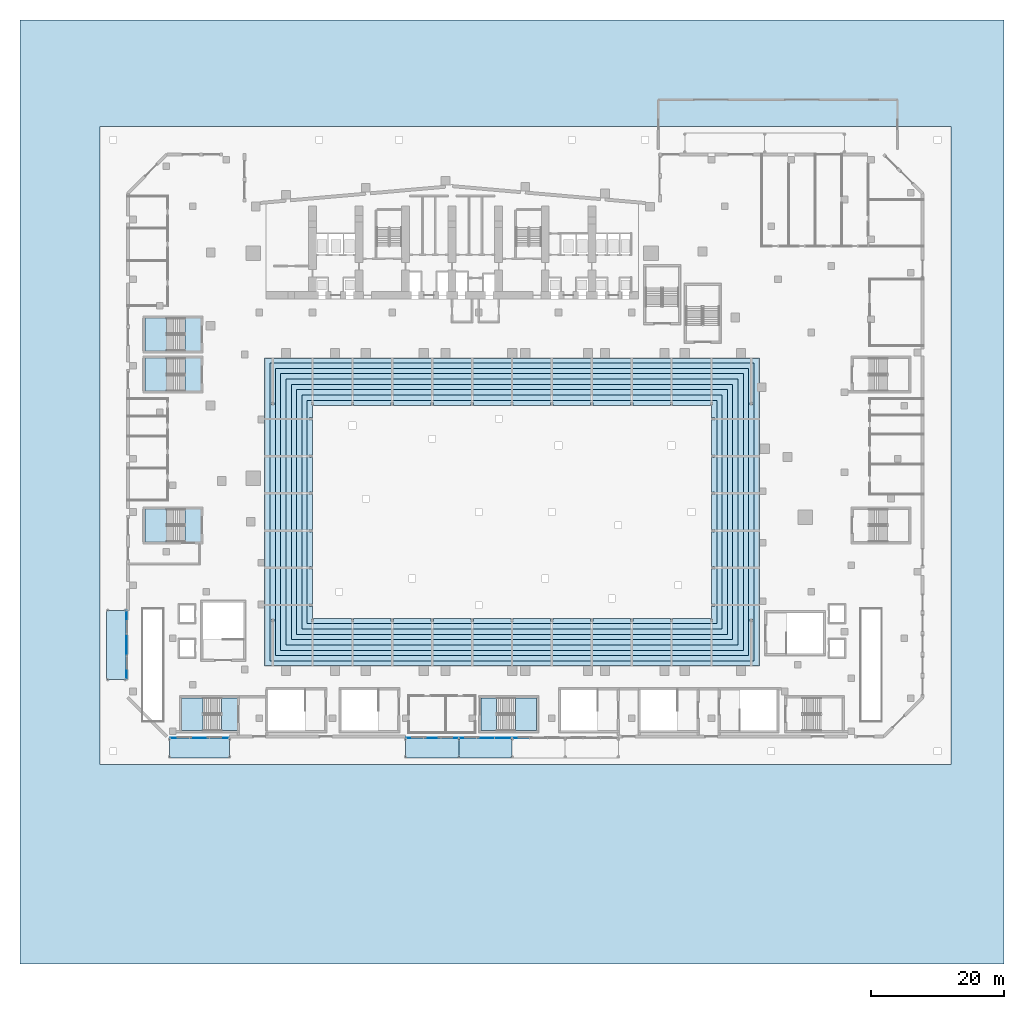
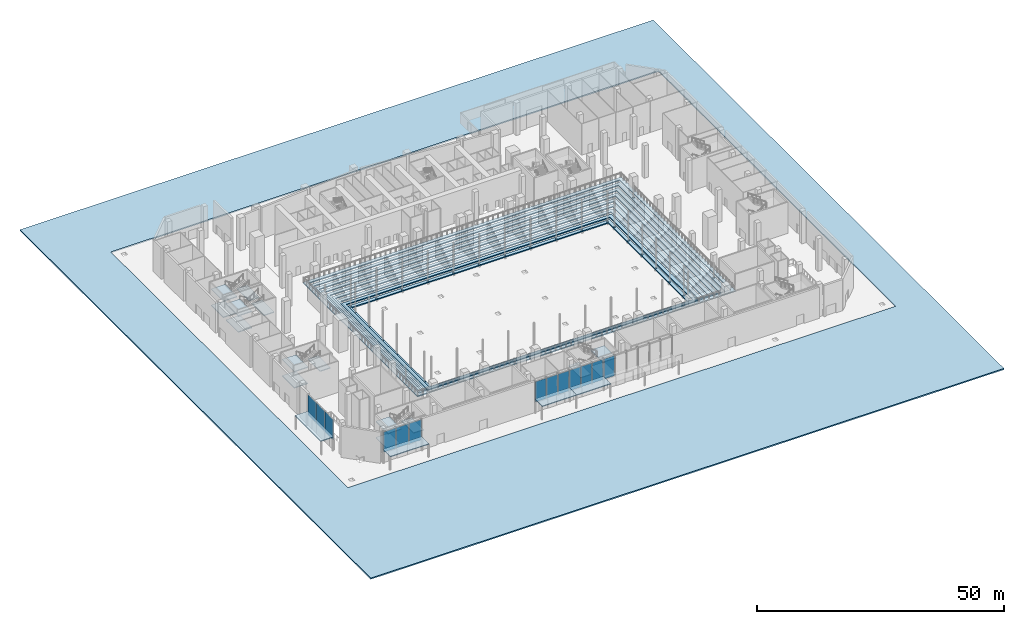
# One storey, part 17 of 41: 29 slabs, 13 plates, 10 elements without a shape of their own.
"""IFC4 building model written with IfcOpenShell, lengths in metres."""

from ifc_helpers import new_model, si_unit, direction, frame, origin, origin_2d, place, context, subcontext, project, spatial, polyline, rectangle, outline, extrude, material, layer, layer_set, type_object, element, aggregate, save


model = new_model("IFC4")

# Units and contexts
model_context = context("Model", 3, precision=1e-05, world=origin(), true_north=direction((0.0, 1.0)))
body_context = subcontext(model_context, "Body", "Model", "MODEL_VIEW")
ifc_project = project(units=[si_unit("LENGTHUNIT", "METRE"), si_unit("AREAUNIT", "SQUARE_METRE"), si_unit("VOLUMEUNIT", "CUBIC_METRE"), si_unit("PLANEANGLEUNIT", "RADIAN"), si_unit("MASSUNIT", "GRAM", prefix="KILO")], contexts=[model_context])

# Site, building, storey
site_placement = place(None, origin())
site = spatial("IfcSite", under=ifc_project, at=site_placement, CompositionType="ELEMENT")
building_placement = place(site_placement, origin())
building = spatial("IfcBuilding", under=site, at=building_placement, Name="Wharfspan Tower", CompositionType="ELEMENT")
storey_placement = place(building_placement, origin())
storey = spatial("IfcBuildingStorey", under=building, at=storey_placement, Name="L00", CompositionType="ELEMENT", Elevation=0.0)

# Slabs
ifc_material_1 = material(Name="Concrete C40/50", Category="concrete")
ifc_layer_1 = layer(ifc_material_1, 0.199951)
ifc_layer_set_1 = layer_set([ifc_layer_1], Name="Concrete C40/50")
slab_type_1 = type_object("IfcSlabType", Name="ENTRANCE CANOPY 200", PredefinedType="ROOF", material=ifc_layer_set_1)
slab_1_placement = place(storey_placement, frame((0.0, 0.0, 3.199707)))
element("IfcSlab", 1, at=slab_1_placement, inside=storey, type_object=slab_type_1, Name="Entrance canopy", PredefinedType="ROOF", context=body_context, shape_type="SweptSolid", body=[
    extrude(outline(polyline([(30.0, -32.0), (38.0, -32.0), (38.0, -35.0), (30.0, -35.0), (30.0, -32.0)])), origin(), (0.0, 0.0, 1.0), 0.200195),
])
slab_2_placement = place(storey_placement, frame((0.0, 0.0, 3.199707)))
element("IfcSlab", 2, at=slab_2_placement, inside=storey, type_object=slab_type_1, Name="Entrance canopy", PredefinedType="ROOF", context=body_context, shape_type="SweptSolid", body=[
    extrude(outline(polyline([(38.0, -32.0), (46.0, -32.0), (46.0, -35.0), (38.0, -35.0), (38.0, -32.0)])), origin(), (0.0, 0.0, 1.0), 0.200195),
])
slab_3_placement = place(storey_placement, frame((0.0, 0.0, 3.199707)))
element("IfcSlab", 3, at=slab_3_placement, inside=storey, type_object=slab_type_1, Name="Entrance canopy", PredefinedType="ROOF", context=body_context, shape_type="SweptSolid", body=[
    extrude(outline(polyline([(-5.5, -32.0), (3.5, -32.0), (3.5, -35.0), (-5.5, -35.0), (-5.5, -32.0)])), origin(), (0.0, 0.0, 1.0), 0.200195),
])
slab_4_placement = place(storey_placement, frame((0.0, 0.0, 3.199707)))
element("IfcSlab", 4, at=slab_4_placement, inside=storey, type_object=slab_type_1, Name="Entrance canopy", PredefinedType="ROOF", context=body_context, shape_type="SweptSolid", body=[
    extrude(outline(polyline([(-12.0, -12.800049), (-12.0, -23.199951), (-15.0, -23.199951), (-15.0, -12.800049), (-12.0, -12.800049)])), origin(), (0.0, 0.0, 1.0), 0.200195),
])

# Curtain wall, plates
ifc_material_2 = material(Name="Aluminium 6063-T6", Category="aluminium")
curtain_wall_type = type_object("IfcCurtainWallType", Name="CURTAIN WALL STATION SCREEN", PredefinedType="NOTDEFINED", material=ifc_material_2)
curtain_wall_1_placement = place(storey_placement, origin())
curtain_wall_1 = element("IfcCurtainWall", 5, at=curtain_wall_1_placement, inside=storey, type_object=curtain_wall_type, Name="Station entrance screen PF1.1", PredefinedType="NOTDEFINED")
ifc_material_3 = material(Name="Glass clear laminated double glazing", Category="glass")
ifc_layer_2 = layer(ifc_material_3, 0.043945)
ifc_layer_set_2 = layer_set([ifc_layer_2], Name="Glass clear laminated double glazing")
plate_type = type_object("IfcPlateType", Name="GLASS PANEL STATION SCREEN 44", PredefinedType="CURTAIN_PANEL", material=ifc_layer_set_2)
plate_1_placement = place(storey_placement, frame((31.353271, -32.0, 2.600098), z_axis=(0.0, 0.0, 1.0), x_axis=(1.0, 0.0, 0.0)))
plate_1 = element("IfcPlate", 6, at=plate_1_placement, type_object=plate_type, Name="Station entrance screen PF1.1 panel 1", PredefinedType="CURTAIN_PANEL", context=body_context, shape_type="SweptSolid", body=[
    extrude(rectangle(XDim=2.546631, YDim=0.043945, at=origin_2d()), origin(), (0.0, 0.0, 1.0), 5.0),
])
plate_2_placement = place(storey_placement, frame((34.0, -32.0, 2.600098), z_axis=(0.0, 0.0, 1.0), x_axis=(1.0, 0.0, 0.0)))
plate_2 = element("IfcPlate", 7, at=plate_2_placement, type_object=plate_type, Name="Station entrance screen PF1.1 panel 2", PredefinedType="CURTAIN_PANEL", context=body_context, shape_type="SweptSolid", body=[
    extrude(rectangle(XDim=2.58667, YDim=0.043945, at=origin_2d()), origin(), (0.0, 0.0, 1.0), 5.0),
])
plate_3_placement = place(storey_placement, frame((36.646729, -32.0, 2.600098), z_axis=(0.0, 0.0, 1.0), x_axis=(1.0, 0.0, 0.0)))
plate_3 = element("IfcPlate", 8, at=plate_3_placement, type_object=plate_type, Name="Station entrance screen PF1.1 panel 3", PredefinedType="CURTAIN_PANEL", context=body_context, shape_type="SweptSolid", body=[
    extrude(rectangle(XDim=2.546631, YDim=0.043945, at=origin_2d()), origin(), (0.0, 0.0, 1.0), 5.0),
])
aggregate(curtain_wall_1, [plate_1, plate_2, plate_3])

curtain_wall_2_placement = place(storey_placement, origin())
curtain_wall_2 = element("IfcCurtainWall", 9, at=curtain_wall_2_placement, inside=storey, type_object=curtain_wall_type, Name="Station entrance screen PF1.2", PredefinedType="NOTDEFINED")
plate_4_placement = place(storey_placement, frame((39.353271, -32.0, 2.600098), z_axis=(0.0, 0.0, 1.0), x_axis=(1.0, 0.0, 0.0)))
plate_4 = element("IfcPlate", 10, at=plate_4_placement, type_object=plate_type, Name="Station entrance screen PF1.2 panel 1", PredefinedType="CURTAIN_PANEL", context=body_context, shape_type="SweptSolid", body=[
    extrude(rectangle(XDim=2.546631, YDim=0.043945, at=origin_2d()), origin(), (0.0, 0.0, 1.0), 5.0),
])
plate_5_placement = place(storey_placement, frame((42.0, -32.0, 2.600098), z_axis=(0.0, 0.0, 1.0), x_axis=(1.0, 0.0, 0.0)))
plate_5 = element("IfcPlate", 11, at=plate_5_placement, type_object=plate_type, Name="Station entrance screen PF1.2 panel 2", PredefinedType="CURTAIN_PANEL", context=body_context, shape_type="SweptSolid", body=[
    extrude(rectangle(XDim=2.58667, YDim=0.043945, at=origin_2d()), origin(), (0.0, 0.0, 1.0), 5.0),
])
plate_6_placement = place(storey_placement, frame((44.646729, -32.0, 2.600098), z_axis=(0.0, 0.0, 1.0), x_axis=(1.0, 0.0, 0.0)))
plate_6 = element("IfcPlate", 12, at=plate_6_placement, type_object=plate_type, Name="Station entrance screen PF1.2 panel 3", PredefinedType="CURTAIN_PANEL", context=body_context, shape_type="SweptSolid", body=[
    extrude(rectangle(XDim=2.546631, YDim=0.043945, at=origin_2d()), origin(), (0.0, 0.0, 1.0), 5.0),
])
aggregate(curtain_wall_2, [plate_4, plate_5, plate_6])

# Curtain wall, plate
curtain_wall_3_placement = place(storey_placement, origin())
curtain_wall_3 = element("IfcCurtainWall", 13, at=curtain_wall_3_placement, inside=storey, type_object=curtain_wall_type, Name="Station entrance screen PF1.3", PredefinedType="NOTDEFINED")
plate_7_placement = place(storey_placement, frame((47.353271, -32.0, 2.600098), z_axis=(0.0, 0.0, 1.0), x_axis=(1.0, 0.0, 0.0)))
plate_7 = element("IfcPlate", 14, at=plate_7_placement, type_object=plate_type, Name="Station entrance screen PF1.3 panel 1", PredefinedType="CURTAIN_PANEL", context=body_context, shape_type="SweptSolid", body=[
    extrude(rectangle(XDim=2.546631, YDim=0.043945, at=origin_2d()), origin(), (0.0, 0.0, 1.0), 5.0),
])
aggregate(curtain_wall_3, [plate_7])

# Curtain wall, plates
curtain_wall_4_placement = place(storey_placement, origin())
curtain_wall_4 = element("IfcCurtainWall", 15, at=curtain_wall_4_placement, inside=storey, type_object=curtain_wall_type, Name="Station entrance screen PF1.5", PredefinedType="NOTDEFINED")
plate_8_placement = place(storey_placement, frame((-3.97998, -32.0, 2.600098), z_axis=(0.0, 0.0, 1.0), x_axis=(1.0, 0.0, 0.0)))
plate_8 = element("IfcPlate", 16, at=plate_8_placement, type_object=plate_type, Name="Station entrance screen PF1.5 panel 1", PredefinedType="CURTAIN_PANEL", context=body_context, shape_type="SweptSolid", body=[
    extrude(rectangle(XDim=2.879883, YDim=0.043945, at=origin_2d()), origin(), (0.0, 0.0, 1.0), 5.0),
])
plate_9_placement = place(storey_placement, frame((-1.0, -32.0, 2.600098), z_axis=(0.0, 0.0, 1.0), x_axis=(1.0, 0.0, 0.0)))
plate_9 = element("IfcPlate", 17, at=plate_9_placement, type_object=plate_type, Name="Station entrance screen PF1.5 panel 2", PredefinedType="CURTAIN_PANEL", context=body_context, shape_type="SweptSolid", body=[
    extrude(rectangle(XDim=2.919922, YDim=0.043945, at=origin_2d()), origin(), (0.0, 0.0, 1.0), 5.0),
])
plate_10_placement = place(storey_placement, frame((1.97998, -32.0, 2.600098), z_axis=(0.0, 0.0, 1.0), x_axis=(1.0, 0.0, 0.0)))
plate_10 = element("IfcPlate", 18, at=plate_10_placement, type_object=plate_type, Name="Station entrance screen PF1.5 panel 3", PredefinedType="CURTAIN_PANEL", context=body_context, shape_type="SweptSolid", body=[
    extrude(rectangle(XDim=2.879883, YDim=0.043945, at=origin_2d()), origin(), (0.0, 0.0, 1.0), 5.0),
])
aggregate(curtain_wall_4, [plate_8, plate_9, plate_10])

curtain_wall_5_placement = place(storey_placement, origin())
curtain_wall_5 = element("IfcCurtainWall", 19, at=curtain_wall_5_placement, inside=storey, type_object=curtain_wall_type, Name="Station entrance screen PF12.1", PredefinedType="NOTDEFINED")
plate_11_placement = place(storey_placement, frame((-12.0, -14.553223, 2.600098), z_axis=(0.0, 0.0, 1.0), x_axis=(0.0, -1.0, 0.0)))
plate_11 = element("IfcPlate", 20, at=plate_11_placement, type_object=plate_type, Name="Station entrance screen PF12.1 panel 1", PredefinedType="CURTAIN_PANEL", context=body_context, shape_type="SweptSolid", body=[
    extrude(rectangle(XDim=3.34668, YDim=0.043945, at=origin_2d()), origin(), (0.0, 0.0, 1.0), 5.0),
])
plate_12_placement = place(storey_placement, frame((-12.0, -18.0, 2.600098), z_axis=(0.0, 0.0, 1.0), x_axis=(0.0, -1.0, 0.0)))
plate_12 = element("IfcPlate", 21, at=plate_12_placement, type_object=plate_type, Name="Station entrance screen PF12.1 panel 2", PredefinedType="CURTAIN_PANEL", context=body_context, shape_type="SweptSolid", body=[
    extrude(rectangle(XDim=3.386719, YDim=0.043945, at=origin_2d()), origin(), (0.0, 0.0, 1.0), 5.0),
])
plate_13_placement = place(storey_placement, frame((-12.0, -21.446777, 2.600098), z_axis=(0.0, 0.0, 1.0), x_axis=(0.0, -1.0, 0.0)))
plate_13 = element("IfcPlate", 22, at=plate_13_placement, type_object=plate_type, Name="Station entrance screen PF12.1 panel 3", PredefinedType="CURTAIN_PANEL", context=body_context, shape_type="SweptSolid", body=[
    extrude(rectangle(XDim=3.34668, YDim=0.043945, at=origin_2d()), origin(), (0.0, 0.0, 1.0), 5.0),
])
aggregate(curtain_wall_5, [plate_11, plate_12, plate_13])

# Slab
ifc_material_4 = material(Name="Concrete C30/37", Category="concrete")
ifc_layer_3 = layer(ifc_material_4, 0.300049)
ifc_layer_set_3 = layer_set([ifc_layer_3], Name="Concrete C30/37")
slab_type_2 = type_object("IfcSlabType", Name="PAVING SLAB 300", PredefinedType="FLOOR", material=ifc_layer_set_3)
slab_5_placement = place(storey_placement, frame((0.0, 0.0, -0.300049)))
element("IfcSlab", 23, at=slab_5_placement, inside=storey, type_object=slab_type_2, Name="Forecourt paving", PredefinedType="FLOOR", context=body_context, shape_type="SweptSolid", body=[
    extrude(outline(polyline([(-28.0, -66.0), (-28.0, 76.0), (120.0, 76.0), (120.0, -66.0), (-28.0, -66.0)]), holes=[polyline([(112.0, 60.0), (-16.0, 60.0), (-16.0, -36.0), (112.0, -36.0), (112.0, 60.0)])]), origin(), (0.0, 0.0, 1.0), 0.300049),
])

# Stair, slabs
stair_type = type_object("IfcStairType", Name="Half-turn stair 2400 wide 44 risers 182 mm", PredefinedType="HALF_TURN_STAIR", material=ifc_material_1)
stair_1_placement = place(storey_placement, origin())
stair_1 = element("IfcStair", 24, at=stair_1_placement, inside=storey, type_object=stair_type, Name="L00 stair AS1", PredefinedType="HALF_TURN_STAIR")
ifc_layer_4 = layer(ifc_material_1, 0.199951)
ifc_layer_set_4 = layer_set([ifc_layer_4], Name="Concrete C40/50")
slab_type_3 = type_object("IfcSlabType", Name="Podium stair landing 200", PredefinedType="LANDING", material=ifc_layer_set_4)
slab_6_placement = place(storey_placement, frame((0.0, 0.0, 1.799805)))
slab_6 = element("IfcSlab", 25, at=slab_6_placement, type_object=slab_type_3, Name="AS1 landing 1", PredefinedType="LANDING", context=body_context, shape_type="SweptSolid", body=[
    extrude(outline(polyline([(-0.5, -25.949951), (-3.699951, -25.949951), (-3.699951, -30.899902), (-0.5, -30.899902), (-0.5, -25.949951)])), origin(), (0.0, 0.0, 1.0), 0.200195),
])
slab_7_placement = place(storey_placement, frame((0.0, 0.0, 3.799805)))
slab_7 = element("IfcSlab", 26, at=slab_7_placement, type_object=slab_type_3, Name="AS1 landing 2", PredefinedType="LANDING", context=body_context, shape_type="SweptSolid", body=[
    extrude(outline(polyline([(4.699951, -25.949951), (2.300049, -25.949951), (2.300049, -30.899902), (4.699951, -30.899902), (4.699951, -25.949951)])), origin(), (0.0, 0.0, 1.0), 0.200195),
])
slab_8_placement = place(storey_placement, frame((0.0, 0.0, 5.799805)))
slab_8 = element("IfcSlab", 27, at=slab_8_placement, type_object=slab_type_3, Name="AS1 landing 3", PredefinedType="LANDING", context=body_context, shape_type="SweptSolid", body=[
    extrude(outline(polyline([(-0.5, -25.949951), (-3.699951, -25.949951), (-3.699951, -30.899902), (-0.5, -30.899902), (-0.5, -25.949951)])), origin(), (0.0, 0.0, 1.0), 0.200195),
])
aggregate(stair_1, [slab_6, slab_7, slab_8])

stair_2_placement = place(storey_placement, origin())
stair_2 = element("IfcStair", 28, at=stair_2_placement, inside=storey, type_object=stair_type, Name="L00 stair AS5", PredefinedType="HALF_TURN_STAIR")
slab_9_placement = place(storey_placement, frame((0.0, 0.0, 1.799805)))
slab_9 = element("IfcSlab", 29, at=slab_9_placement, type_object=slab_type_3, Name="AS5 landing 1", PredefinedType="LANDING", context=body_context, shape_type="SweptSolid", body=[
    extrude(outline(polyline([(46.5, -30.899902), (49.699951, -30.899902), (49.699951, -25.949951), (46.5, -25.949951), (46.5, -30.899902)])), origin(), (0.0, 0.0, 1.0), 0.200195),
])
slab_10_placement = place(storey_placement, frame((0.0, 0.0, 3.799805)))
slab_10 = element("IfcSlab", 30, at=slab_10_placement, type_object=slab_type_3, Name="AS5 landing 2", PredefinedType="LANDING", context=body_context, shape_type="SweptSolid", body=[
    extrude(outline(polyline([(41.300049, -30.899902), (43.699951, -30.899902), (43.699951, -25.949951), (41.300049, -25.949951), (41.300049, -30.899902)])), origin(), (0.0, 0.0, 1.0), 0.200195),
])
slab_11_placement = place(storey_placement, frame((0.0, 0.0, 5.799805)))
slab_11 = element("IfcSlab", 31, at=slab_11_placement, type_object=slab_type_3, Name="AS5 landing 3", PredefinedType="LANDING", context=body_context, shape_type="SweptSolid", body=[
    extrude(outline(polyline([(46.5, -30.899902), (49.699951, -30.899902), (49.699951, -25.949951), (46.5, -25.949951), (46.5, -30.899902)])), origin(), (0.0, 0.0, 1.0), 0.200195),
])
aggregate(stair_2, [slab_9, slab_10, slab_11])

stair_3_placement = place(storey_placement, origin())
stair_3 = element("IfcStair", 32, at=stair_3_placement, inside=storey, type_object=stair_type, Name="L00 stair AS7", PredefinedType="HALF_TURN_STAIR")
slab_12_placement = place(storey_placement, frame((0.0, 0.0, 1.799805)))
slab_12 = element("IfcSlab", 33, at=slab_12_placement, type_object=slab_type_3, Name="AS7 landing 1", PredefinedType="LANDING", context=body_context, shape_type="SweptSolid", body=[
    extrude(outline(polyline([(-6.0, 2.449951), (-9.199951, 2.449951), (-9.199951, -2.5), (-6.0, -2.5), (-6.0, 2.449951)])), origin(), (0.0, 0.0, 1.0), 0.200195),
])
slab_13_placement = place(storey_placement, frame((0.0, 0.0, 3.799805)))
slab_13 = element("IfcSlab", 34, at=slab_13_placement, type_object=slab_type_3, Name="AS7 landing 2", PredefinedType="LANDING", context=body_context, shape_type="SweptSolid", body=[
    extrude(outline(polyline([(-0.800049, 2.449951), (-3.199951, 2.449951), (-3.199951, -2.5), (-0.800049, -2.5), (-0.800049, 2.449951)])), origin(), (0.0, 0.0, 1.0), 0.200195),
])
slab_14_placement = place(storey_placement, frame((0.0, 0.0, 5.799805)))
slab_14 = element("IfcSlab", 35, at=slab_14_placement, type_object=slab_type_3, Name="AS7 landing 3", PredefinedType="LANDING", context=body_context, shape_type="SweptSolid", body=[
    extrude(outline(polyline([(-6.0, 2.449951), (-9.199951, 2.449951), (-9.199951, -2.5), (-6.0, -2.5), (-6.0, 2.449951)])), origin(), (0.0, 0.0, 1.0), 0.200195),
])
aggregate(stair_3, [slab_12, slab_13, slab_14])

stair_4_placement = place(storey_placement, origin())
stair_4 = element("IfcStair", 36, at=stair_4_placement, inside=storey, type_object=stair_type, Name="L00 stair AS3", PredefinedType="HALF_TURN_STAIR")
slab_15_placement = place(storey_placement, frame((0.0, 0.0, 1.799805)))
slab_15 = element("IfcSlab", 37, at=slab_15_placement, type_object=slab_type_3, Name="AS3 landing 1", PredefinedType="LANDING", context=body_context, shape_type="SweptSolid", body=[
    extrude(outline(polyline([(-6.0, 25.149902), (-9.199951, 25.149902), (-9.199951, 20.199951), (-6.0, 20.199951), (-6.0, 25.149902)])), origin(), (0.0, 0.0, 1.0), 0.200195),
])
slab_16_placement = place(storey_placement, frame((0.0, 0.0, 3.799805)))
slab_16 = element("IfcSlab", 38, at=slab_16_placement, type_object=slab_type_3, Name="AS3 landing 2", PredefinedType="LANDING", context=body_context, shape_type="SweptSolid", body=[
    extrude(outline(polyline([(-0.800049, 25.149902), (-3.199951, 25.149902), (-3.199951, 20.199951), (-0.800049, 20.199951), (-0.800049, 25.149902)])), origin(), (0.0, 0.0, 1.0), 0.200195),
])
slab_17_placement = place(storey_placement, frame((0.0, 0.0, 5.799805)))
slab_17 = element("IfcSlab", 39, at=slab_17_placement, type_object=slab_type_3, Name="AS3 landing 3", PredefinedType="LANDING", context=body_context, shape_type="SweptSolid", body=[
    extrude(outline(polyline([(-6.0, 25.149902), (-9.199951, 25.149902), (-9.199951, 20.199951), (-6.0, 20.199951), (-6.0, 25.149902)])), origin(), (0.0, 0.0, 1.0), 0.200195),
])
aggregate(stair_4, [slab_15, slab_16, slab_17])

stair_5_placement = place(storey_placement, origin())
stair_5 = element("IfcStair", 40, at=stair_5_placement, inside=storey, type_object=stair_type, Name="L00 stair PS3", PredefinedType="HALF_TURN_STAIR")
slab_18_placement = place(storey_placement, frame((0.0, 0.0, 1.799805)))
slab_18 = element("IfcSlab", 41, at=slab_18_placement, type_object=slab_type_3, Name="PS3 landing 1", PredefinedType="LANDING", context=body_context, shape_type="SweptSolid", body=[
    extrude(outline(polyline([(-6.0, 31.175049), (-9.199951, 31.175049), (-9.199951, 26.225098), (-6.0, 26.225098), (-6.0, 31.175049)])), origin(), (0.0, 0.0, 1.0), 0.200195),
])
slab_19_placement = place(storey_placement, frame((0.0, 0.0, 3.799805)))
slab_19 = element("IfcSlab", 42, at=slab_19_placement, type_object=slab_type_3, Name="PS3 landing 2", PredefinedType="LANDING", context=body_context, shape_type="SweptSolid", body=[
    extrude(outline(polyline([(-0.800049, 31.175049), (-3.199951, 31.175049), (-3.199951, 26.225098), (-0.800049, 26.225098), (-0.800049, 31.175049)])), origin(), (0.0, 0.0, 1.0), 0.200195),
])
slab_20_placement = place(storey_placement, frame((0.0, 0.0, 5.799805)))
slab_20 = element("IfcSlab", 43, at=slab_20_placement, type_object=slab_type_3, Name="PS3 landing 3", PredefinedType="LANDING", context=body_context, shape_type="SweptSolid", body=[
    extrude(outline(polyline([(-6.0, 31.175049), (-9.199951, 31.175049), (-9.199951, 26.225098), (-6.0, 26.225098), (-6.0, 31.175049)])), origin(), (0.0, 0.0, 1.0), 0.200195),
])
aggregate(stair_5, [slab_18, slab_19, slab_20])

# Slabs
ifc_material_5 = material(Name="Concrete C35/45", Category="concrete")
ifc_layer_5 = layer(ifc_material_5, 0.25)
ifc_layer_set_5 = layer_set([ifc_layer_5], Name="Concrete C35/45")
slab_type_4 = type_object("IfcSlabType", Name="Seating tread 250", PredefinedType="FLOOR", material=ifc_layer_set_5)
slab_21_placement = place(storey_placement, frame((0.0, 0.0, 0.300049)))
element("IfcSlab", 44, at=slab_21_placement, inside=storey, type_object=slab_type_4, Name="Seating row 1", PredefinedType="FLOOR", context=body_context, shape_type="SweptSolid", body=[
    extrude(outline(polyline([(15.199951, 18.800049), (76.800049, 18.800049), (76.800049, -14.800049), (15.199951, -14.800049), (15.199951, 18.800049)]), holes=[polyline([(16.0, 18.0), (16.0, -14.0), (76.0, -14.0), (76.0, 18.0), (16.0, 18.0)]), polyline([(16.177734, -14.477783), (16.177734, -14.122314), (15.822266, -14.122314), (15.822266, -14.477783), (16.177734, -14.477783)]), polyline([(22.177734, -14.477783), (22.177734, -14.122314), (21.822266, -14.122314), (21.822266, -14.477783), (22.177734, -14.477783)]), polyline([(28.177734, -14.477783), (28.177734, -14.122314), (27.822266, -14.122314), (27.822266, -14.477783), (28.177734, -14.477783)]), polyline([(40.177734, -14.477783), (40.177734, -14.122314), (39.822266, -14.122314), (39.822266, -14.477783), (40.177734, -14.477783)]), polyline([(34.177734, -14.477783), (34.177734, -14.122314), (33.822266, -14.122314), (33.822266, -14.477783), (34.177734, -14.477783)]), polyline([(15.877686, -12.177734), (15.877686, -11.822266), (15.522217, -11.822266), (15.522217, -12.177734), (15.877686, -12.177734)]), polyline([(15.522217, -6.577881), (15.877686, -6.577881), (15.877686, -6.222168), (15.522217, -6.222168), (15.522217, -6.577881)]), polyline([(15.522217, -0.977783), (15.877686, -0.977783), (15.877686, -0.622314), (15.522217, -0.622314), (15.522217, -0.977783)]), polyline([(15.877686, 4.622314), (15.877686, 4.977783), (15.522217, 4.977783), (15.522217, 4.622314), (15.877686, 4.622314)]), polyline([(15.877686, 10.222168), (15.877686, 10.577881), (15.522217, 10.577881), (15.522217, 10.222168), (15.877686, 10.222168)]), polyline([(15.877686, 15.822266), (15.877686, 16.177734), (15.522217, 16.177734), (15.522217, 15.822266), (15.877686, 15.822266)]), polyline([(45.822266, 18.122314), (46.177734, 18.122314), (46.177734, 18.477783), (45.822266, 18.477783), (45.822266, 18.122314)]), polyline([(40.177734, 18.122314), (40.177734, 18.477783), (39.822266, 18.477783), (39.822266, 18.122314), (40.177734, 18.122314)]), polyline([(34.177734, 18.122314), (34.177734, 18.477783), (33.822266, 18.477783), (33.822266, 18.122314), (34.177734, 18.122314)]), polyline([(28.177734, 18.122314), (28.177734, 18.477783), (27.822266, 18.477783), (27.822266, 18.122314), (28.177734, 18.122314)]), polyline([(21.822266, 18.122314), (22.177734, 18.122314), (22.177734, 18.477783), (21.822266, 18.477783), (21.822266, 18.122314)]), polyline([(15.822266, 18.122314), (16.177734, 18.122314), (16.177734, 18.477783), (15.822266, 18.477783), (15.822266, 18.122314)]), polyline([(76.177734, -14.477783), (76.177734, -14.122314), (75.822266, -14.122314), (75.822266, -14.477783), (76.177734, -14.477783)]), polyline([(46.177734, -14.477783), (46.177734, -14.122314), (45.822266, -14.122314), (45.822266, -14.477783), (46.177734, -14.477783)]), polyline([(70.177734, -14.477783), (70.177734, -14.122314), (69.822266, -14.122314), (69.822266, -14.477783), (70.177734, -14.477783)]), polyline([(64.177734, -14.477783), (64.177734, -14.122314), (63.822266, -14.122314), (63.822266, -14.477783), (64.177734, -14.477783)]), polyline([(58.177734, -14.477783), (58.177734, -14.122314), (57.822266, -14.122314), (57.822266, -14.477783), (58.177734, -14.477783)]), polyline([(52.177734, -14.477783), (52.177734, -14.122314), (51.822266, -14.122314), (51.822266, -14.477783), (52.177734, -14.477783)]), polyline([(76.122314, -12.177734), (76.477783, -12.177734), (76.477783, -11.822266), (76.122314, -11.822266), (76.122314, -12.177734)]), polyline([(76.122314, -6.577881), (76.477783, -6.577881), (76.477783, -6.222168), (76.122314, -6.222168), (76.122314, -6.577881)]), polyline([(76.477783, -0.977783), (76.477783, -0.622314), (76.122314, -0.622314), (76.122314, -0.977783), (76.477783, -0.977783)]), polyline([(76.477783, 4.622314), (76.477783, 4.977783), (76.122314, 4.977783), (76.122314, 4.622314), (76.477783, 4.622314)]), polyline([(76.477783, 10.222168), (76.477783, 10.577881), (76.122314, 10.577881), (76.122314, 10.222168), (76.477783, 10.222168)]), polyline([(76.122314, 15.822266), (76.477783, 15.822266), (76.477783, 16.177734), (76.122314, 16.177734), (76.122314, 15.822266)]), polyline([(63.822266, 18.122314), (64.177734, 18.122314), (64.177734, 18.477783), (63.822266, 18.477783), (63.822266, 18.122314)]), polyline([(58.177734, 18.122314), (58.177734, 18.477783), (57.822266, 18.477783), (57.822266, 18.122314), (58.177734, 18.122314)]), polyline([(70.177734, 18.122314), (70.177734, 18.477783), (69.822266, 18.477783), (69.822266, 18.122314), (70.177734, 18.122314)]), polyline([(76.177734, 18.122314), (76.177734, 18.477783), (75.822266, 18.477783), (75.822266, 18.122314), (76.177734, 18.122314)]), polyline([(51.822266, 18.122314), (52.177734, 18.122314), (52.177734, 18.477783), (51.822266, 18.477783), (51.822266, 18.122314)])]), origin(), (0.0, 0.0, 1.0), 0.25),
])
slab_22_placement = place(storey_placement, frame((0.0, 0.0, 0.850098)))
element("IfcSlab", 45, at=slab_22_placement, inside=storey, type_object=slab_type_4, Name="Seating row 2", PredefinedType="FLOOR", context=body_context, shape_type="SweptSolid", body=[
    extrude(outline(polyline([(14.399902, 19.600098), (77.600098, 19.600098), (77.600098, -15.600098), (14.399902, -15.600098), (14.399902, 19.600098)]), holes=[polyline([(15.199951, 18.800049), (15.199951, -14.800049), (76.800049, -14.800049), (76.800049, 18.800049), (15.199951, 18.800049)])]), origin(), (0.0, 0.0, 1.0), 0.25),
])
slab_23_placement = place(storey_placement, frame((0.0, 0.0, 1.399902)))
element("IfcSlab", 46, at=slab_23_placement, inside=storey, type_object=slab_type_4, Name="Seating row 3", PredefinedType="FLOOR", context=body_context, shape_type="SweptSolid", body=[
    extrude(outline(polyline([(13.600098, 20.399902), (78.399902, 20.399902), (78.399902, -16.399902), (13.600098, -16.399902), (13.600098, 20.399902)]), holes=[polyline([(14.399902, 19.600098), (14.399902, -15.600098), (77.600098, -15.600098), (77.600098, 19.600098), (14.399902, 19.600098)])]), origin(), (0.0, 0.0, 1.0), 0.25),
])
slab_24_placement = place(storey_placement, frame((0.0, 0.0, 1.949951)))
element("IfcSlab", 47, at=slab_24_placement, inside=storey, type_object=slab_type_4, Name="Seating row 4", PredefinedType="FLOOR", context=body_context, shape_type="SweptSolid", body=[
    extrude(outline(polyline([(12.800049, 21.199951), (79.199951, 21.199951), (79.199951, -17.199951), (12.800049, -17.199951), (12.800049, 21.199951)]), holes=[polyline([(13.600098, 20.399902), (13.600098, -16.399902), (78.399902, -16.399902), (78.399902, 20.399902), (13.600098, 20.399902)])]), origin(), (0.0, 0.0, 1.0), 0.25),
])
slab_25_placement = place(storey_placement, frame((0.0, 0.0, 2.5)))
element("IfcSlab", 48, at=slab_25_placement, inside=storey, type_object=slab_type_4, Name="Seating row 5", PredefinedType="FLOOR", context=body_context, shape_type="SweptSolid", body=[
    extrude(outline(polyline([(12.0, 22.0), (80.0, 22.0), (80.0, -18.0), (12.0, -18.0), (12.0, 22.0)]), holes=[polyline([(12.800049, 21.199951), (12.800049, -17.199951), (79.199951, -17.199951), (79.199951, 21.199951), (12.800049, 21.199951)])]), origin(), (0.0, 0.0, 1.0), 0.25),
])
slab_26_placement = place(storey_placement, frame((0.0, 0.0, 3.050049)))
element("IfcSlab", 49, at=slab_26_placement, inside=storey, type_object=slab_type_4, Name="Seating row 6", PredefinedType="FLOOR", context=body_context, shape_type="SweptSolid", body=[
    extrude(outline(polyline([(11.199951, 22.800049), (80.800049, 22.800049), (80.800049, -18.800049), (11.199951, -18.800049), (11.199951, 22.800049)]), holes=[polyline([(12.0, 22.0), (12.0, -18.0), (80.0, -18.0), (80.0, 22.0), (12.0, 22.0)])]), origin(), (0.0, 0.0, 1.0), 0.25),
])
slab_27_placement = place(storey_placement, frame((0.0, 0.0, 3.600098)))
element("IfcSlab", 50, at=slab_27_placement, inside=storey, type_object=slab_type_4, Name="Seating row 7", PredefinedType="FLOOR", context=body_context, shape_type="SweptSolid", body=[
    extrude(outline(polyline([(10.399902, 23.600098), (81.600098, 23.600098), (81.600098, -19.600098), (10.399902, -19.600098), (10.399902, 23.600098)]), holes=[polyline([(11.199951, 22.800049), (11.199951, -18.800049), (80.800049, -18.800049), (80.800049, 22.800049), (11.199951, 22.800049)])]), origin(), (0.0, 0.0, 1.0), 0.25),
])
slab_28_placement = place(storey_placement, frame((0.0, 0.0, 4.149902)))
element("IfcSlab", 51, at=slab_28_placement, inside=storey, type_object=slab_type_4, Name="Seating row 8", PredefinedType="FLOOR", context=body_context, shape_type="SweptSolid", body=[
    extrude(outline(polyline([(9.600098, 24.399902), (82.399902, 24.399902), (82.399902, -20.399902), (9.600098, -20.399902), (9.600098, 24.399902)]), holes=[polyline([(10.399902, 23.600098), (10.399902, -19.600098), (81.600098, -19.600098), (81.600098, 23.600098), (10.399902, 23.600098)]), polyline([(10.177734, -14.477783), (10.177734, -14.122314), (9.822266, -14.122314), (9.822266, -14.477783), (10.177734, -14.477783)]), polyline([(9.822266, 18.122314), (10.177734, 18.122314), (10.177734, 18.477783), (9.822266, 18.477783), (9.822266, 18.122314)]), polyline([(82.177734, -14.477783), (82.177734, -14.122314), (81.822266, -14.122314), (81.822266, -14.477783), (82.177734, -14.477783)]), polyline([(81.822266, 18.122314), (82.177734, 18.122314), (82.177734, 18.477783), (81.822266, 18.477783), (81.822266, 18.122314)])]), origin(), (0.0, 0.0, 1.0), 0.25),
])
slab_29_placement = place(storey_placement, frame((0.0, 0.0, 4.699951)))
element("IfcSlab", 52, at=slab_29_placement, inside=storey, type_object=slab_type_4, Name="Seating row 9", PredefinedType="FLOOR", context=body_context, shape_type="SweptSolid", body=[
    extrude(outline(polyline([(8.800049, 25.199951), (83.199951, 25.199951), (83.199951, -21.199951), (8.800049, -21.199951), (8.800049, 25.199951)]), holes=[polyline([(9.600098, 24.399902), (9.600098, -20.399902), (82.399902, -20.399902), (82.399902, 24.399902), (9.600098, 24.399902)])]), origin(), (0.0, 0.0, 1.0), 0.25),
])

save(model, "model.ifc")
